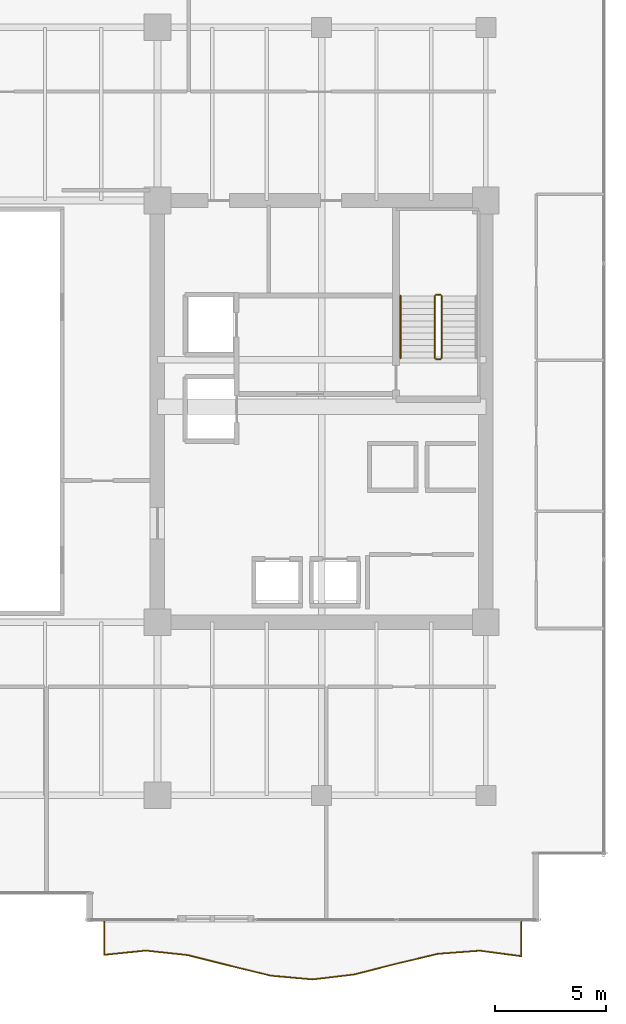
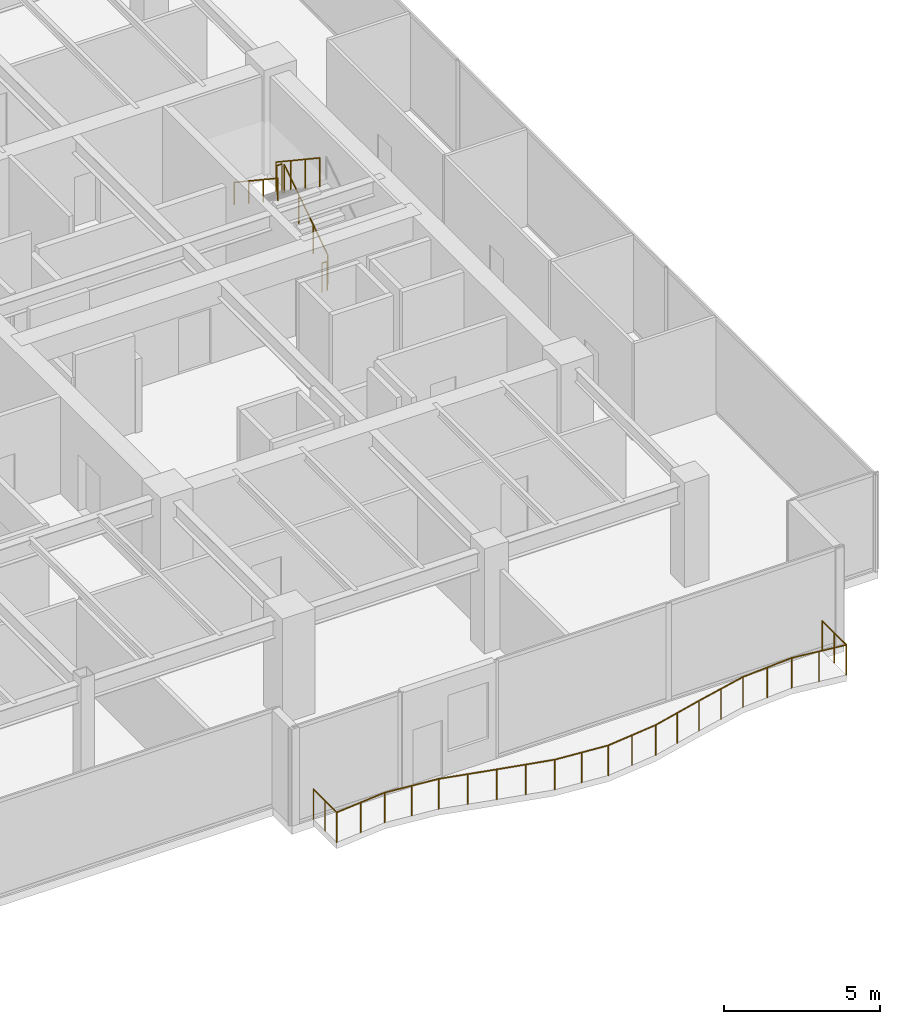
# One storey, part 29 of 30: 6 railings.
"""IFC4 building model written with IfcOpenShell, lengths in metres."""

from ifc_helpers import new_model, si_unit, direction, frame, origin, origin_2d, place, context, subcontext, project, spatial, circle, extrude, source, transform, mapped, material, type_object, type_shapes, element, save


model = new_model("IFC4")

# Units and contexts
model_context = context("Model", 3, precision=1e-05, world=origin(), true_north=direction((0.0, 1.0)))
body_context = subcontext(model_context, "Body", "Model", "MODEL_VIEW")
ifc_project = project(units=[si_unit("LENGTHUNIT", "METRE"), si_unit("AREAUNIT", "SQUARE_METRE"), si_unit("VOLUMEUNIT", "CUBIC_METRE"), si_unit("PLANEANGLEUNIT", "RADIAN"), si_unit("MASSUNIT", "GRAM", prefix="KILO")], contexts=[model_context])

# Site, building, storey
site_placement = place(None, origin())
site = spatial("IfcSite", under=ifc_project, at=site_placement, CompositionType="ELEMENT")
building_placement = place(site_placement, origin())
building = spatial("IfcBuilding", under=site, at=building_placement, Name="Haelvirn Gate Laboratories", CompositionType="ELEMENT")
storey_placement = place(building_placement, frame((0.0, 0.0, 146.10009765625)))
storey = spatial("IfcBuildingStorey", under=building, at=storey_placement, Name="L35", CompositionType="ELEMENT", Elevation=146.10009765625)

# Railings
ifc_material_1 = material(Name="Laminated safety glass & bronze stainless steel 316L", Category="steel")
railing_type_1 = type_object("IfcRailingType", Name="RLG-BAL-1200", PredefinedType="BALUSTRADE", material=ifc_material_1)
shared_shape_1 = source(origin(), body_context, "Body", "SweptSolid", [
    extrude(circle(Radius=0.02392578125, at=origin_2d()), frame((0.0, 0.0, 1.17578125), z_axis=(0.0, -1.0, 0.0), x_axis=(1.0, 0.0, 0.0)), (0.0, 0.0, 1.0), 1.490478515625),
    extrude(circle(Radius=0.02392578125, at=origin_2d()), frame((0.0, -1.490478515625, 1.17578125), z_axis=(0.994909750385, 0.100769978613, 0.0), x_axis=(-0.100769978613, 0.994909750385, 0.0)), (0.0, 0.0, 1.0), 1.8896484375),
    extrude(circle(Radius=0.02392578125, at=origin_2d()), frame((1.880126953125, -1.300048828125, 1.17578125), z_axis=(0.994268046517, -0.106916096431, 0.0), x_axis=(0.106916096431, 0.994268046517, 0.0)), (0.0, 0.0, 1.0), 1.890625),
    extrude(circle(Radius=0.02392578125, at=origin_2d()), frame((3.760009765625, -1.502197265625, 1.17578125), z_axis=(0.969823122706, -0.243809578699, 0.0), x_axis=(0.243809578699, 0.969823122706, 0.0)), (0.0, 0.0, 1.0), 1.938720703125),
    extrude(circle(Radius=0.02392578125, at=origin_2d()), frame((5.64013671875, -1.974853515625, 1.17578125), z_axis=(0.971637832794, -0.23647393489, 0.0), x_axis=(0.23647393489, 0.971637832794, 0.0)), (0.0, 0.0, 1.0), 1.934814453125),
    extrude(circle(Radius=0.02392578125, at=origin_2d()), frame((7.52001953125, -2.432373046875, 1.17578125), z_axis=(0.99611284402, -0.088086332525, 0.0), x_axis=(0.088086332525, 0.99611284402, 0.0)), (0.0, 0.0, 1.0), 1.887451171875),
    extrude(circle(Radius=0.02392578125, at=origin_2d()), frame((9.400146484375, -2.5986328125, 1.17578125), z_axis=(0.992892084335, 0.119018103096, 0.0), x_axis=(-0.119018103096, 0.992892084335, 0.0)), (0.0, 0.0, 1.0), 1.893310546875),
    extrude(circle(Radius=0.02392578125, at=origin_2d()), frame((11.280029296875, -2.373291015625, 1.17578125), z_axis=(0.968773195662, 0.247948574036, 0.0), x_axis=(-0.247948574036, 0.968773195662, 0.0)), (0.0, 0.0, 1.0), 1.940673828125),
    extrude(circle(Radius=0.02392578125, at=origin_2d()), frame((13.16015625, -1.89208984375, 1.17578125), z_axis=(0.972986243114, 0.230863099502, 0.0), x_axis=(-0.230863099502, 0.972986243114, 0.0)), (0.0, 0.0, 1.0), 1.93212890625),
    extrude(circle(Radius=0.02392578125, at=origin_2d()), frame((15.0400390625, -1.446044921875, 1.17578125), z_axis=(0.997175842367, 0.075102193036, 0.0), x_axis=(-0.075102193036, 0.997175842367, 0.0)), (0.0, 0.0, 1.0), 1.885498046875),
    extrude(circle(Radius=0.02392578125, at=origin_2d()), frame((16.920166015625, -1.304443359375, 1.17578125), z_axis=(0.991406900654, -0.130814209229, 0.0), x_axis=(0.130814209229, 0.991406900654, 0.0)), (0.0, 0.0, 1.0), 1.896240234375),
    extrude(circle(Radius=0.02392578125, at=origin_2d()), frame((18.800048828125, -1.552490234375, 1.17578125), z_axis=(0.0, 1.0, 0.0), x_axis=(-1.0, 0.0, 0.0)), (0.0, 0.0, 1.0), 1.552490234375),
    extrude(circle(Radius=0.02099609375, at=origin_2d()), origin(), (0.0, 0.0, 1.0), 1.15185546875),
    extrude(circle(Radius=0.02099609375, at=origin_2d()), frame((0.0, -0.7451171875, 0.0)), (0.0, 0.0, 1.0), 1.15185546875),
    extrude(circle(Radius=0.02099609375, at=origin_2d()), frame((0.0, -1.490478515625, 0.0)), (0.0, 0.0, 1.0), 1.15185546875),
    extrude(circle(Radius=0.02099609375, at=origin_2d()), frame((0.93994140625, -1.395263671875, 0.0)), (0.0, 0.0, 1.0), 1.15185546875),
    extrude(circle(Radius=0.02099609375, at=origin_2d()), frame((1.880126953125, -1.300048828125, 0.0)), (0.0, 0.0, 1.0), 1.15185546875),
    extrude(circle(Radius=0.02099609375, at=origin_2d()), frame((2.820068359375, -1.401123046875, 0.0)), (0.0, 0.0, 1.0), 1.15185546875),
    extrude(circle(Radius=0.02099609375, at=origin_2d()), frame((3.760009765625, -1.502197265625, 0.0)), (0.0, 0.0, 1.0), 1.15185546875),
    extrude(circle(Radius=0.02099609375, at=origin_2d()), frame((4.7001953125, -1.738525390625, 0.0)), (0.0, 0.0, 1.0), 1.15185546875),
    extrude(circle(Radius=0.02099609375, at=origin_2d()), frame((5.64013671875, -1.974853515625, 0.0)), (0.0, 0.0, 1.0), 1.15185546875),
    extrude(circle(Radius=0.02099609375, at=origin_2d()), frame((6.580078125, -2.20361328125, 0.0)), (0.0, 0.0, 1.0), 1.15185546875),
    extrude(circle(Radius=0.02099609375, at=origin_2d()), frame((7.52001953125, -2.432373046875, 0.0)), (0.0, 0.0, 1.0), 1.15185546875),
    extrude(circle(Radius=0.02099609375, at=origin_2d()), frame((8.4599609375, -2.515625, 0.0)), (0.0, 0.0, 1.0), 1.15185546875),
    extrude(circle(Radius=0.02099609375, at=origin_2d()), frame((9.400146484375, -2.5986328125, 0.0)), (0.0, 0.0, 1.0), 1.15185546875),
    extrude(circle(Radius=0.02099609375, at=origin_2d()), frame((10.340087890625, -2.48583984375, 0.0)), (0.0, 0.0, 1.0), 1.15185546875),
    extrude(circle(Radius=0.02099609375, at=origin_2d()), frame((11.280029296875, -2.373291015625, 0.0)), (0.0, 0.0, 1.0), 1.15185546875),
    extrude(circle(Radius=0.02099609375, at=origin_2d()), frame((12.22021484375, -2.1328125, 0.0)), (0.0, 0.0, 1.0), 1.15185546875),
    extrude(circle(Radius=0.02099609375, at=origin_2d()), frame((13.16015625, -1.89208984375, 0.0)), (0.0, 0.0, 1.0), 1.15185546875),
    extrude(circle(Radius=0.02099609375, at=origin_2d()), frame((14.10009765625, -1.6689453125, 0.0)), (0.0, 0.0, 1.0), 1.15185546875),
    extrude(circle(Radius=0.02099609375, at=origin_2d()), frame((15.0400390625, -1.446044921875, 0.0)), (0.0, 0.0, 1.0), 1.15185546875),
    extrude(circle(Radius=0.02099609375, at=origin_2d()), frame((15.97998046875, -1.375244140625, 0.0)), (0.0, 0.0, 1.0), 1.15185546875),
    extrude(circle(Radius=0.02099609375, at=origin_2d()), frame((16.920166015625, -1.304443359375, 0.0)), (0.0, 0.0, 1.0), 1.15185546875),
    extrude(circle(Radius=0.02099609375, at=origin_2d()), frame((17.860107421875, -1.428466796875, 0.0)), (0.0, 0.0, 1.0), 1.15185546875),
    extrude(circle(Radius=0.02099609375, at=origin_2d()), frame((18.800048828125, -1.552490234375, 0.0)), (0.0, 0.0, 1.0), 1.15185546875),
    extrude(circle(Radius=0.02099609375, at=origin_2d()), frame((18.800048828125, -0.7763671875, 0.0)), (0.0, 0.0, 1.0), 1.15185546875),
    extrude(circle(Radius=0.02099609375, at=origin_2d()), frame((18.800048828125, 0.0, 0.0)), (0.0, 0.0, 1.0), 1.15185546875),
])
type_shapes(railing_type_1, [shared_shape_1])
railing_1_placement = place(storey_placement, frame((50.199951171875, 1.300048828125, 0.0)))
element("IfcRailing", 1, at=railing_1_placement, inside=storey, type_object=railing_type_1, Name="L35 Wave Balcony Balustrade EL-S", PredefinedType="BALUSTRADE", context=body_context, shape_type="MappedRepresentation", body=[
    mapped(shared_shape_1, transform((0.0, 0.0, 0.0), scale=1.0)),
])
ifc_material_2 = material(Name="Galvanised steel SM355 & stainless top rail", Category="steel")
railing_type_2 = type_object("IfcRailingType", Name="RL-GUARD-1150", PredefinedType="GUARDRAIL", material=ifc_material_2)
shared_shape_2 = source(origin(), body_context, "Body", "SweptSolid", [
    extrude(circle(Radius=0.02392578125, at=origin_2d()), frame((0.0, 0.0, 1.1259765625), z_axis=(0.0, 0.832485552168, 0.554046753832), x_axis=(-1.0, 0.0, 0.0)), (0.0, 0.0, 1.0), 3.363525390625),
    extrude(circle(Radius=0.02099609375, at=origin_2d()), origin(), (0.0, 0.0, 1.0), 1.101806640625),
    extrude(circle(Radius=0.02099609375, at=origin_2d()), frame((0.0, 0.933349609375, 0.62109375)), (0.0, 0.0, 1.0), 1.101806640625),
    extrude(circle(Radius=0.02099609375, at=origin_2d()), frame((0.0, 1.86669921875, 1.242431640625)), (0.0, 0.0, 1.0), 1.101806640625),
    extrude(circle(Radius=0.02099609375, at=origin_2d()), frame((0.0, 2.800048828125, 1.863525390625)), (0.0, 0.0, 1.0), 1.101806640625),
])
railing_2_placement = place(storey_placement, frame((65.39990234375, 26.699951171875, 0.186279296875)))
element("IfcRailing", 2, at=railing_2_placement, inside=storey, type_object=railing_type_2, Name="L35 ST2 stair guard 1", PredefinedType="GUARDRAIL", context=body_context, shape_type="MappedRepresentation", body=[
    mapped(shared_shape_2, transform((0.0, 0.0, 0.0), scale=1.0)),
])
shared_shape_3 = source(origin(), body_context, "Body", "SweptSolid", [
    extrude(circle(Radius=0.02392578125, at=origin_2d()), frame((0.0, 0.0, 1.1259765625), z_axis=(0.0, -0.832485552168, 0.554046753832), x_axis=(1.0, 0.0, 0.0)), (0.0, 0.0, 1.0), 3.363525390625),
    extrude(circle(Radius=0.02099609375, at=origin_2d()), origin(), (0.0, 0.0, 1.0), 1.101806640625),
    extrude(circle(Radius=0.02099609375, at=origin_2d()), frame((0.0, -0.933349609375, 0.62109375)), (0.0, 0.0, 1.0), 1.101806640625),
    extrude(circle(Radius=0.02099609375, at=origin_2d()), frame((0.0, -1.86669921875, 1.242431640625)), (0.0, 0.0, 1.0), 1.101806640625),
    extrude(circle(Radius=0.02099609375, at=origin_2d()), frame((0.0, -2.800048828125, 1.863525390625)), (0.0, 0.0, 1.0), 1.101806640625),
])
railing_3_placement = place(storey_placement, frame((65.10009765625, 29.5, 2.236328125)))
element("IfcRailing", 3, at=railing_3_placement, inside=storey, type_object=railing_type_2, Name="L35 ST2 stair guard 3", PredefinedType="GUARDRAIL", context=body_context, shape_type="MappedRepresentation", body=[
    mapped(shared_shape_3, transform((0.0, 0.0, 0.0), scale=1.0)),
])
ifc_material_3 = material(Name="Brushed stainless steel 316L", Category="steel")
railing_type_3 = type_object("IfcRailingType", Name="RL-HAND-920", PredefinedType="HANDRAIL", material=ifc_material_3)
shared_shape_4 = source(origin(), body_context, "Body", "SweptSolid", [
    extrude(circle(Radius=0.02392578125, at=origin_2d()), frame((0.0, 0.0, 0.8759765625), z_axis=(0.0, -0.832485552168, 0.554046753832), x_axis=(1.0, 0.0, 0.0)), (0.0, 0.0, 1.0), 3.363525390625),
    extrude(circle(Radius=0.02099609375, at=origin_2d()), origin(), (0.0, 0.0, 1.0), 0.851806640625),
    extrude(circle(Radius=0.02099609375, at=origin_2d()), frame((0.0, -0.933349609375, 0.62109375)), (0.0, 0.0, 1.0), 0.851806640625),
    extrude(circle(Radius=0.02099609375, at=origin_2d()), frame((0.0, -1.86669921875, 1.242431640625)), (0.0, 0.0, 1.0), 0.851806640625),
    extrude(circle(Radius=0.02099609375, at=origin_2d()), frame((0.0, -2.800048828125, 1.863525390625)), (0.0, 0.0, 1.0), 0.851806640625),
])
type_shapes(railing_type_3, [shared_shape_4])
railing_4_placement = place(storey_placement, frame((63.550048828125, 29.5, 2.236328125)))
element("IfcRailing", 4, at=railing_4_placement, inside=storey, type_object=railing_type_3, Name="L35 ST2 stair handrail 2", PredefinedType="HANDRAIL", context=body_context, shape_type="MappedRepresentation", body=[
    mapped(shared_shape_4, transform((0.0, 0.0, 0.0), scale=1.0)),
])
shared_shape_5 = source(origin(), body_context, "Body", "SweptSolid", [
    extrude(circle(Radius=0.02392578125, at=origin_2d()), frame((0.0, 0.0, 1.1259765625), z_axis=(-1.0, 0.0, 0.0), x_axis=(0.0, -1.0, 0.0)), (0.0, 0.0, 1.0), 0.2001953125),
    extrude(circle(Radius=0.02099609375, at=origin_2d()), origin(), (0.0, 0.0, 1.0), 1.101806640625),
    extrude(circle(Radius=0.02099609375, at=origin_2d()), frame((-0.2001953125, 0.0, 0.0)), (0.0, 0.0, 1.0), 1.101806640625),
])
type_shapes(railing_type_2, [shared_shape_2, shared_shape_3, shared_shape_5])
for number, where, name in (
    (5, (65.35009765625, 29.550048828125, 2.0498046875), "L35 ST2 stair guard 2"),
    (6, (65.35009765625, 26.64990234375, 0.0), "L35 ST2 stair guard 4"),
):
    element("IfcRailing", number, at=place(storey_placement, frame(where)), inside=storey, type_object=railing_type_2, Name=name, PredefinedType="GUARDRAIL", context=body_context, shape_type="MappedRepresentation", body=[
        mapped(shared_shape_5, transform((0.0, 0.0, 0.0), scale=1.0)),
    ])

save(model, "model.ifc")
